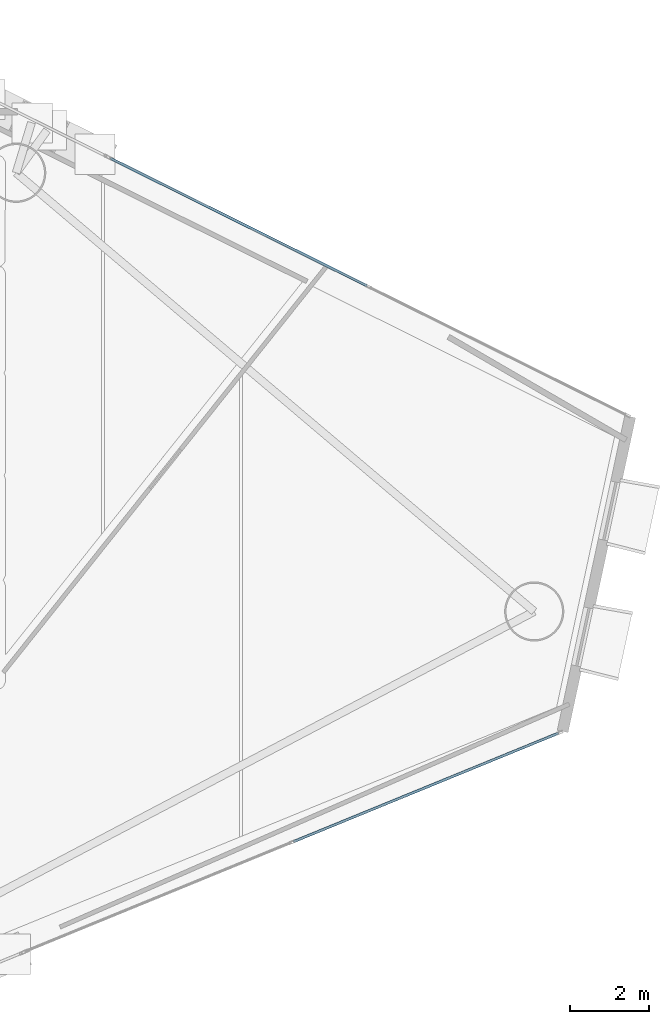
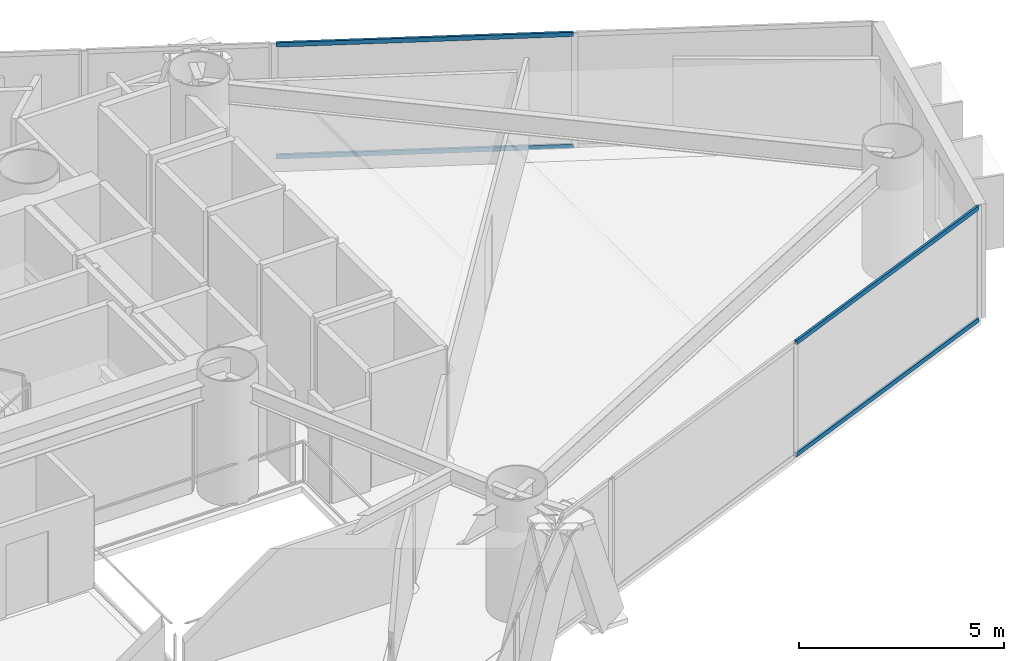
# One storey, part 13 of 22: 4 members, 2 elements without a shape of their own.
"""IFC4 building model written with IfcOpenShell, lengths in metres."""

from ifc_helpers import new_model, si_unit, direction, frame, origin, origin_2d, place, context, subcontext, project, spatial, hollow_rectangle, extrude, material, layer, layer_set, material_profile, profile_set, type_object, element, aggregate, save


model = new_model("IFC4")

# Units and contexts
model_context = context("Model", 3, precision=1e-05, world=origin(), true_north=direction((0.0, 1.0)))
body_context = subcontext(model_context, "Body", "Model", "MODEL_VIEW")
ifc_project = project(units=[si_unit("LENGTHUNIT", "METRE"), si_unit("AREAUNIT", "SQUARE_METRE"), si_unit("VOLUMEUNIT", "CUBIC_METRE"), si_unit("PLANEANGLEUNIT", "RADIAN"), si_unit("MASSUNIT", "GRAM", prefix="KILO")], contexts=[model_context])

# Site, building, storey
site_placement = place(None, origin())
site = spatial("IfcSite", under=ifc_project, at=site_placement, CompositionType="ELEMENT")
building_placement = place(site_placement, origin())
building = spatial("IfcBuilding", under=site, at=building_placement, Name="Qianvela Tower", CompositionType="ELEMENT")
storey_placement = place(building_placement, frame((0.0, 0.0, 134.800048828125)))
storey = spatial("IfcBuildingStorey", under=building, at=storey_placement, Name="L34", CompositionType="ELEMENT", Elevation=134.800048828125)

# Curtain wall, members
ifc_material_1 = material(Name="Anodised Architectural Aluminium and Low-E Glass", Category="aluminium")
ifc_layer = layer(ifc_material_1, 0.169921875)
ifc_layer_set = layer_set([ifc_layer], Name="Anodised Architectural Aluminium and Low-E Glass")
curtain_wall_type = type_object("IfcCurtainWallType", Name="CW-COLIV-Z34", PredefinedType="USERDEFINED", material=ifc_layer_set)
curtain_wall_1_placement = place(storey_placement, origin())
curtain_wall_1 = element("IfcCurtainWall", 1, at=curtain_wall_1_placement, inside=storey, type_object=curtain_wall_type, Name="L34 CW-COLIV-Z34 Curtain Wall 02A", ObjectType="CURTAIN_WALL_SYSTEM", PredefinedType="USERDEFINED")
ifc_material_2 = material(Name="Anodised Architectural Aluminium 6063-T6", Category="aluminium")
ifc_material_profile = material_profile(ifc_material_2, hollow_rectangle(XDim=0.06494140625, YDim=0.1298828125, WallThickness=0.00439453125, at=origin_2d()), Name="ALU-TRAN-65x130")
ifc_profile_set = profile_set([ifc_material_profile], Name="Anodised Architectural Aluminium 6063-T6")
member_type = type_object("IfcMemberType", Name="CW-COLIV-Z34-TRAN", PredefinedType="USERDEFINED", material=ifc_profile_set)
member_1_placement = place(storey_placement, frame((52.96044921875, 32.20556640625, 0.032470703125), z_axis=(-0.895453502138, 0.445155057826, 0.0), x_axis=(-0.445155057826, -0.895453502138, 0.0)))
member_1 = element("IfcMember", 2, at=member_1_placement, type_object=member_type, Name="CW-4 transom 2.1", ObjectType="TRANSOM", PredefinedType="USERDEFINED", context=body_context, shape_type="SweptSolid", body=[
    extrude(hollow_rectangle(XDim=0.06494140625, YDim=0.1298828125, WallThickness=0.00439453125, at=origin_2d()), origin(), (0.0, 0.0, 1.0), 7.262451171875),
])
member_2_placement = place(storey_placement, frame((52.96044921875, 32.20556640625, 3.367431640625), z_axis=(-0.895453502138, 0.445155057826, 0.0), x_axis=(-0.445155057826, -0.895453502138, 0.0)))
member_2 = element("IfcMember", 3, at=member_2_placement, type_object=member_type, Name="CW-4 transom 2.2", ObjectType="TRANSOM", PredefinedType="USERDEFINED", context=body_context, shape_type="SweptSolid", body=[
    extrude(hollow_rectangle(XDim=0.06494140625, YDim=0.1298828125, WallThickness=0.00439453125, at=origin_2d()), origin(), (0.0, 0.0, 1.0), 7.262451171875),
])
aggregate(curtain_wall_1, [member_1, member_2])

curtain_wall_2_placement = place(storey_placement, origin())
curtain_wall_2 = element("IfcCurtainWall", 4, at=curtain_wall_2_placement, inside=storey, type_object=curtain_wall_type, Name="L34 CW-COLIV-Z34 Curtain Wall 06C", ObjectType="CURTAIN_WALL_SYSTEM", PredefinedType="USERDEFINED")
member_3_placement = place(storey_placement, frame((51.095703125, 18.12646484375, 0.032470703125), z_axis=(0.925390876804, 0.379014148982, 0.0), x_axis=(-0.379014148982, 0.925390876804, 0.0)))
member_3 = element("IfcMember", 5, at=member_3_placement, type_object=member_type, Name="CW-4 transom 2.1", ObjectType="TRANSOM", PredefinedType="USERDEFINED", context=body_context, shape_type="SweptSolid", body=[
    extrude(hollow_rectangle(XDim=0.06494140625, YDim=0.1298828125, WallThickness=0.00439453125, at=origin_2d()), origin(), (0.0, 0.0, 1.0), 7.25439453125),
])
member_4_placement = place(storey_placement, frame((51.095703125, 18.12646484375, 3.367431640625), z_axis=(0.925390876804, 0.379014148982, 0.0), x_axis=(-0.379014148982, 0.925390876804, 0.0)))
member_4 = element("IfcMember", 6, at=member_4_placement, type_object=member_type, Name="CW-4 transom 2.2", ObjectType="TRANSOM", PredefinedType="USERDEFINED", context=body_context, shape_type="SweptSolid", body=[
    extrude(hollow_rectangle(XDim=0.06494140625, YDim=0.1298828125, WallThickness=0.00439453125, at=origin_2d()), origin(), (0.0, 0.0, 1.0), 7.25439453125),
])
aggregate(curtain_wall_2, [member_3, member_4])

save(model, "model.ifc")
